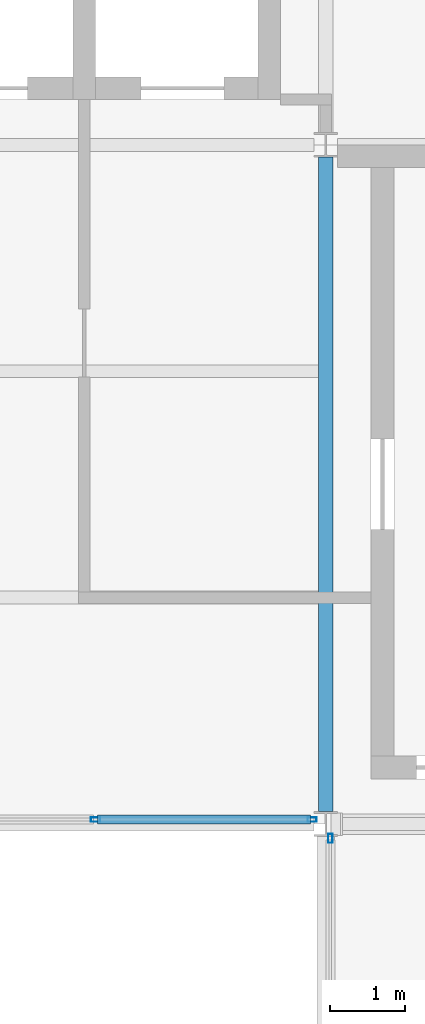
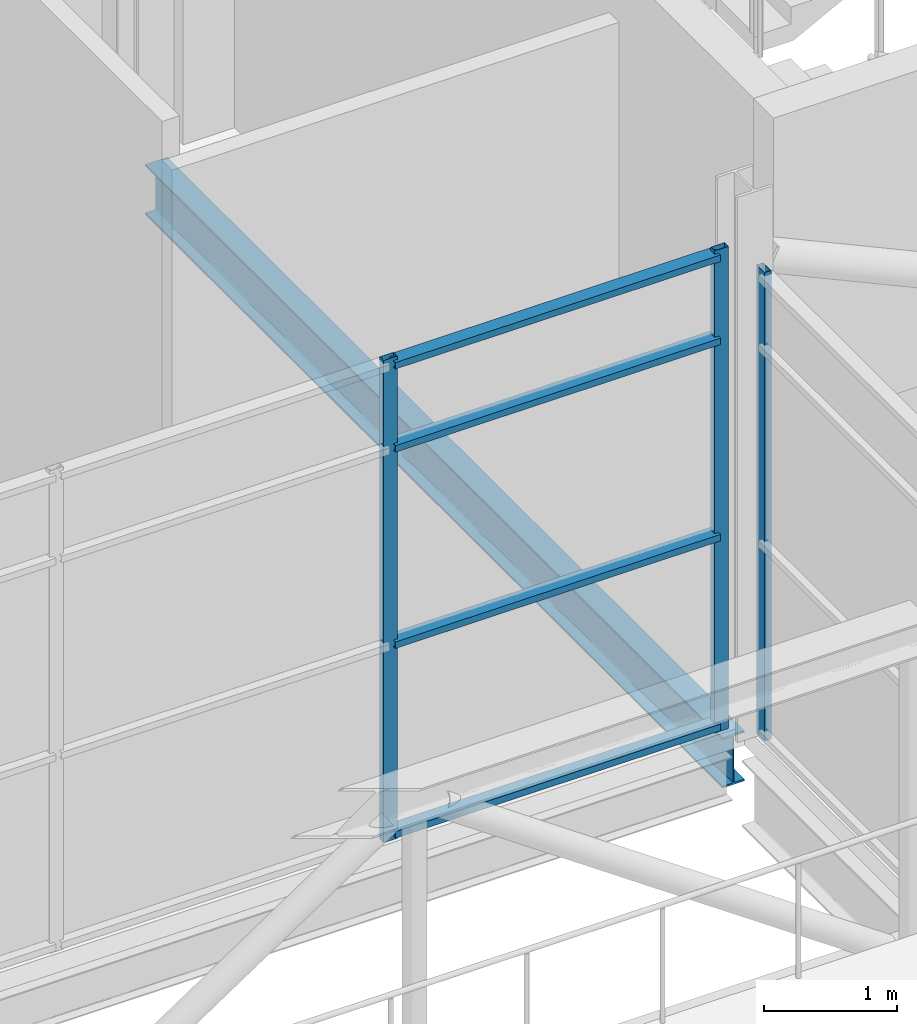
# One storey, part 69 of 115: 7 members, 1 beam, 2 elements without a shape of their own.
"""IFC4 building model written with IfcOpenShell, lengths in metres."""

from ifc_helpers import new_model, si_unit, direction, frame, origin, origin_2d, place, context, subcontext, project, spatial, hollow_rectangle, i_section, extrude, material, layer, layer_set, material_profile, profile_set, type_object, element, aggregate, save


model = new_model("IFC4")

# Units and contexts
model_context = context("Model", 3, precision=1e-05, world=origin(), true_north=direction((0.0, 1.0)))
body_context = subcontext(model_context, "Body", "Model", "MODEL_VIEW")
ifc_project = project(units=[si_unit("LENGTHUNIT", "METRE"), si_unit("AREAUNIT", "SQUARE_METRE"), si_unit("VOLUMEUNIT", "CUBIC_METRE"), si_unit("PLANEANGLEUNIT", "RADIAN"), si_unit("MASSUNIT", "GRAM", prefix="KILO")], contexts=[model_context])

# Site, building, storey
site_placement = place(None, origin())
site = spatial("IfcSite", under=ifc_project, at=site_placement, CompositionType="ELEMENT")
building_placement = place(site_placement, origin())
building = spatial("IfcBuilding", under=site, at=building_placement, Name="Shorebreak Coast Museum", CompositionType="ELEMENT")
storey_placement = place(building_placement, frame((0.0, 0.0, 11.0)))
storey = spatial("IfcBuildingStorey", under=building, at=storey_placement, Name="L02", CompositionType="ELEMENT", Elevation=11.0)

# Beam
ifc_material_1 = material(Name="Steel Grade 300", Category="steel")
ifc_material_profile_1 = material_profile(ifc_material_1, i_section(OverallWidth=0.19091796875, OverallDepth=0.46044921875, WebThickness=0.010009765625, FlangeThickness=0.01611328125, FilletRadius=0.011474609375, at=origin_2d()), Name="460UB82.1")
ifc_profile_set_1 = profile_set([ifc_material_profile_1], Name="Steel Grade 300")
beam_type = type_object("IfcBeamType", Name="Floor girder north-south 460UB82.1", PredefinedType="BEAM", material=ifc_profile_set_1)
beam_placement = place(storey_placement, frame((108.0, 81.16357421875, -0.4052734375), z_axis=(0.0, 1.0, 0.0), x_axis=(-1.0, 0.0, 0.0)))
element("IfcBeam", 1, at=beam_placement, inside=storey, type_object=beam_type, Name="Floor girder north-south L02 13K", PredefinedType="BEAM", context=body_context, shape_type="SweptSolid", body=[
    extrude(i_section(OverallWidth=0.19091796875, OverallDepth=0.46044921875, WebThickness=0.010009765625, FlangeThickness=0.01611328125, FilletRadius=0.011474609375, at=origin_2d()), origin(), (0.0, 0.0, 1.0), 8.6728515625),
])

# Curtain wall, members
ifc_material_2 = material(Name="Aluminium", Category="aluminium")
ifc_layer = layer(ifc_material_2, 0.1201171875)
ifc_layer_set = layer_set([ifc_layer], Name="Aluminium")
curtain_wall_type = type_object("IfcCurtainWallType", Name="Atrium fire screen", PredefinedType="NOTDEFINED", material=ifc_layer_set)
curtain_wall_1_placement = place(storey_placement, origin())
curtain_wall_1 = element("IfcCurtainWall", 2, at=curtain_wall_1_placement, inside=storey, type_object=curtain_wall_type, Name="Atrium screen L02 N 26", PredefinedType="NOTDEFINED")
ifc_material_3 = material(Name="Aluminium", Category="aluminium")
ifc_material_profile_2 = material_profile(ifc_material_3, hollow_rectangle(XDim=0.06005859375, YDim=0.1201171875, WallThickness=0.00341796875, at=origin_2d()), Name="AL 120x60 RHS")
ifc_profile_set_2 = profile_set([ifc_material_profile_2], Name="Aluminium")
member_type_1 = type_object("IfcMemberType", Name="Screen mullion 50 x 120", PredefinedType="MULLION", material=ifc_profile_set_2)
member_1_placement = place(storey_placement, frame((104.9482421875, 81.06005859375, 0.0), z_axis=(0.0, 0.0, 1.0), x_axis=(0.0, 1.0, 0.0)))
member_1 = element("IfcMember", 3, at=member_1_placement, type_object=member_type_1, Name="CW6 mullion 3", PredefinedType="MULLION", context=body_context, shape_type="SweptSolid", body=[
    extrude(hollow_rectangle(XDim=0.06005859375, YDim=0.1201171875, WallThickness=0.00341796875, at=origin_2d()), origin(), (0.0, 0.0, 1.0), 4.42236328125),
])
member_2_placement = place(storey_placement, frame((107.819580078125, 81.06005859375, 0.0), z_axis=(0.0, 0.0, 1.0), x_axis=(0.0, 1.0, 0.0)))
member_2 = element("IfcMember", 4, at=member_2_placement, type_object=member_type_1, Name="CW6 mullion 4", PredefinedType="MULLION", context=body_context, shape_type="SweptSolid", body=[
    extrude(hollow_rectangle(XDim=0.06005859375, YDim=0.1201171875, WallThickness=0.00341796875, at=origin_2d()), origin(), (0.0, 0.0, 1.0), 4.42236328125),
])

# Curtain wall, member
curtain_wall_2_placement = place(storey_placement, origin())
curtain_wall_2 = element("IfcCurtainWall", 5, at=curtain_wall_2_placement, inside=storey, type_object=curtain_wall_type, Name="Atrium screen L02 E 32", PredefinedType="NOTDEFINED")
member_3_placement = place(storey_placement, frame((108.06005859375, 80.811279296875, 0.0), z_axis=(0.0, 0.0, 1.0), x_axis=(-1.0, 0.0, 0.0)))
member_3 = element("IfcMember", 6, at=member_3_placement, type_object=member_type_1, Name="CW6 mullion 2", PredefinedType="MULLION", context=body_context, shape_type="SweptSolid", body=[
    extrude(hollow_rectangle(XDim=0.06005859375, YDim=0.1201171875, WallThickness=0.00341796875, at=origin_2d()), origin(), (0.0, 0.0, 1.0), 4.296875),
])
aggregate(curtain_wall_2, [member_3])

# Member
ifc_material_4 = material(Name="Aluminium", Category="aluminium")
ifc_material_profile_3 = material_profile(ifc_material_4, hollow_rectangle(XDim=0.1201171875, YDim=0.06005859375, WallThickness=0.00341796875, at=origin_2d()), Name="AL 60x120 RHS")
ifc_profile_set_3 = profile_set([ifc_material_profile_3], Name="Aluminium")
member_type_2 = type_object("IfcMemberType", Name="Screen transom 120 x 50", PredefinedType="USERDEFINED", material=ifc_profile_set_3)
member_4_placement = place(storey_placement, frame((104.97314453125, 81.06005859375, 0.06005859375), z_axis=(1.0, 0.0, 0.0), x_axis=(0.0, 1.0, 0.0)))
member_4 = element("IfcMember", 7, at=member_4_placement, type_object=member_type_2, Name="CW6 transom 3.1", ObjectType="TRANSOM", PredefinedType="USERDEFINED", context=body_context, shape_type="SweptSolid", body=[
    extrude(hollow_rectangle(XDim=0.1201171875, YDim=0.06005859375, WallThickness=0.00341796875, at=origin_2d()), origin(), (0.0, 0.0, 1.0), 2.8212890625),
])

member_5_placement = place(storey_placement, frame((104.97314453125, 81.06005859375, 1.800048828125), z_axis=(1.0, 0.0, 0.0), x_axis=(0.0, 1.0, 0.0)))
member_5 = element("IfcMember", 8, at=member_5_placement, type_object=member_type_2, Name="CW6 transom 3.2", ObjectType="TRANSOM", PredefinedType="USERDEFINED", context=body_context, shape_type="SweptSolid", body=[
    extrude(hollow_rectangle(XDim=0.1201171875, YDim=0.06005859375, WallThickness=0.00341796875, at=origin_2d()), origin(), (0.0, 0.0, 1.0), 2.8212890625),
])

member_6_placement = place(storey_placement, frame((104.97314453125, 81.06005859375, 3.60009765625), z_axis=(1.0, 0.0, 0.0), x_axis=(0.0, 1.0, 0.0)))
member_6 = element("IfcMember", 9, at=member_6_placement, type_object=member_type_2, Name="CW6 transom 3.3", ObjectType="TRANSOM", PredefinedType="USERDEFINED", context=body_context, shape_type="SweptSolid", body=[
    extrude(hollow_rectangle(XDim=0.1201171875, YDim=0.06005859375, WallThickness=0.00341796875, at=origin_2d()), origin(), (0.0, 0.0, 1.0), 2.8212890625),
])

member_7_placement = place(storey_placement, frame((104.97314453125, 81.06005859375, 4.3623046875), z_axis=(1.0, 0.0, 0.0), x_axis=(0.0, 1.0, 0.0)))
member_7 = element("IfcMember", 10, at=member_7_placement, type_object=member_type_2, Name="CW6 transom 3.4", ObjectType="TRANSOM", PredefinedType="USERDEFINED", context=body_context, shape_type="SweptSolid", body=[
    extrude(hollow_rectangle(XDim=0.1201171875, YDim=0.06005859375, WallThickness=0.00341796875, at=origin_2d()), origin(), (0.0, 0.0, 1.0), 2.8212890625),
])

aggregate(curtain_wall_1, [member_1, member_2, member_4, member_5, member_6, member_7])

save(model, "model.ifc")
